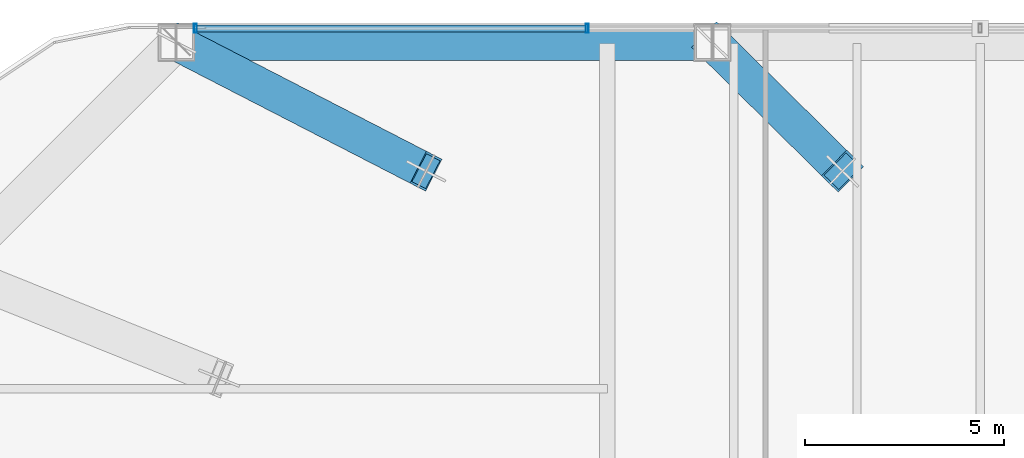
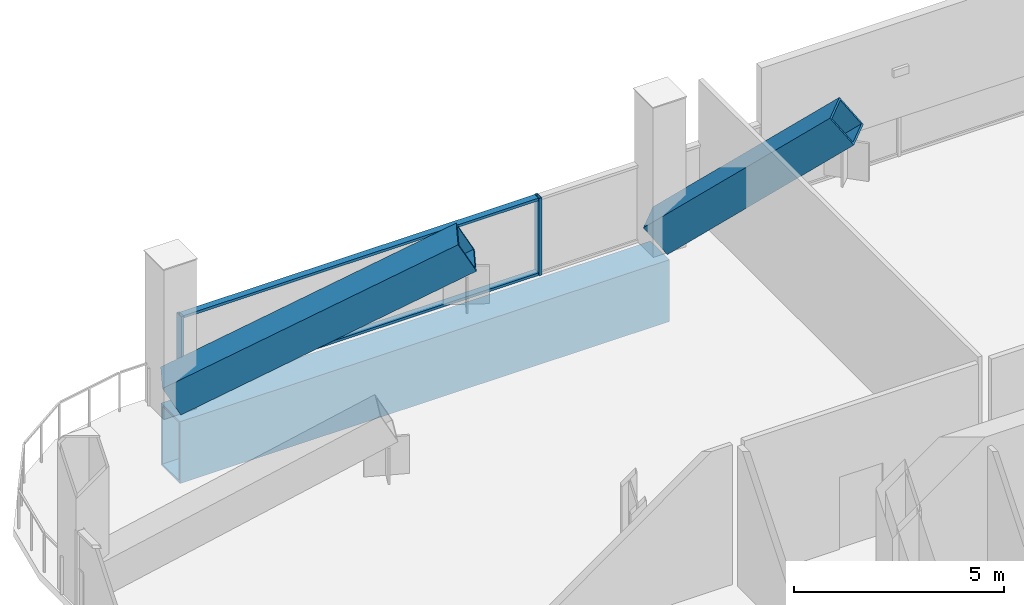
# One storey, part 20 of 38: 6 members, 1 beam, 1 element without a shape of its own.
"""IFC4 building model written with IfcOpenShell, lengths in metres."""

from ifc_helpers import new_model, si_unit, direction, frame, origin, origin_2d, place, context, subcontext, project, spatial, hollow_rectangle, extrude, material, layer, layer_set, material_profile, profile_set, type_object, element, aggregate, save


model = new_model("IFC4")

# Units and contexts
model_context = context("Model", 3, precision=1e-05, world=origin(), true_north=direction((0.0, 1.0)))
body_context = subcontext(model_context, "Body", "Model", "MODEL_VIEW")
ifc_project = project(units=[si_unit("LENGTHUNIT", "METRE"), si_unit("AREAUNIT", "SQUARE_METRE"), si_unit("VOLUMEUNIT", "CUBIC_METRE"), si_unit("PLANEANGLEUNIT", "RADIAN"), si_unit("MASSUNIT", "GRAM", prefix="KILO")], contexts=[model_context])

# Site, building, storey
site_placement = place(None, origin())
site = spatial("IfcSite", under=ifc_project, at=site_placement, CompositionType="ELEMENT")
building_placement = place(site_placement, origin())
building = spatial("IfcBuilding", under=site, at=building_placement, Name="Qhalaya Broadcast Tower", CompositionType="ELEMENT")
storey_placement = place(building_placement, frame((0.0, 0.0, 53.550048828125)))
storey = spatial("IfcBuildingStorey", under=building, at=storey_placement, Name="L15", CompositionType="ELEMENT", Elevation=53.550048828125)

# Beam
ifc_material_1 = material(Name="Structural Steel ASTM A572 Grade 50", Category="steel")
ifc_material_profile_1 = material_profile(ifc_material_1, hollow_rectangle(XDim=0.89990234375, YDim=1.800048828125, WallThickness=0.06005859375, at=origin_2d()), Name="BOX 900x1800x60")
ifc_profile_set_1 = profile_set([ifc_material_profile_1], Name="Structural Steel ASTM A572 Grade 50")
beam_type = type_object("IfcBeamType", Name="Block Cantilever Transfer Box Girder TG1", PredefinedType="USERDEFINED", material=ifc_profile_set_1)
beam_placement = place(storey_placement, frame((-6.7333984375, 25.89990234375, -1.1201171875), z_axis=(-1.0, 0.0, 0.0), x_axis=(0.0, -1.0, 0.0)))
element("IfcBeam", 1, at=beam_placement, inside=storey, type_object=beam_type, Name="L15 TG1 L15-SPR-11", ObjectType="GIRDER", PredefinedType="USERDEFINED", context=body_context, shape_type="SweptSolid", body=[
    extrude(hollow_rectangle(XDim=0.89990234375, YDim=1.800048828125, WallThickness=0.06005859375, at=origin_2d()), origin(), (0.0, 0.0, 1.0), 13.466552734375),
])

# Members
ifc_material_profile_2 = material_profile(ifc_material_1, hollow_rectangle(XDim=0.89990234375, YDim=0.89990234375, WallThickness=0.054931640625, at=origin_2d()), Name="BOX 900x900x55")
ifc_profile_set_2 = profile_set([ifc_material_profile_2], Name="Structural Steel ASTM A572 Grade 50")
member_type_1 = type_object("IfcMemberType", Name="Heavy Exoskeleton Transfer Strut RK1", PredefinedType="BRACE", material=ifc_profile_set_2)
member_1_placement = place(storey_placement, frame((-6.7333984375, 25.89990234375, 0.349365234375), z_axis=(0.536648079419, -0.530077205519, 0.656526461801), x_axis=(0.702737773249, 0.711448959553, 0.0)))
element("IfcMember", 2, at=member_1_placement, inside=storey, type_object=member_type_1, Name="L15 Inclined Exoskeleton Transfer Strut 11", PredefinedType="BRACE", context=body_context, shape_type="SweptSolid", body=[
    extrude(hollow_rectangle(XDim=0.89990234375, YDim=0.89990234375, WallThickness=0.054931640625, at=origin_2d()), origin(), (0.0, 0.0, 1.0), 6.093505859375),
])
member_2_placement = place(storey_placement, frame((-20.199951171875, 25.89990234375, 0.402587890625), z_axis=(0.775752384475, -0.399626354902, 0.4883717994), x_axis=(0.457953273889, 0.888976264551, 0.0)))
element("IfcMember", 3, at=member_2_placement, inside=storey, type_object=member_type_1, Name="L15 Inclined Exoskeleton Transfer Strut 12", PredefinedType="BRACE", context=body_context, shape_type="SweptSolid", body=[
    extrude(hollow_rectangle(XDim=0.89990234375, YDim=0.89990234375, WallThickness=0.054931640625, at=origin_2d()), origin(), (0.0, 0.0, 1.0), 8.08251953125),
])

# Curtain wall, members
ifc_material_2 = material(Name="Fired Architectural Terracotta", Category="masonry")
ifc_layer = layer(ifc_material_2, 0.219970703125, Name="Fired Architectural Terracotta")
ifc_layer_set = layer_set([ifc_layer], Name="Fired Architectural Terracotta")
curtain_wall_type = type_object("IfcCurtainWallType", Name="Block-Cap Unitised Terracotta Spandrel Wall CW-07", PredefinedType="NOTDEFINED", material=ifc_layer_set)
curtain_wall_placement = place(storey_placement, origin())
curtain_wall = element("IfcCurtainWall", 4, at=curtain_wall_placement, inside=storey, type_object=curtain_wall_type, Name="L15 Unitised Curtain Wall L15-CW-N", PredefinedType="NOTDEFINED")
ifc_material_3 = material(Name="Anodised Aluminium 6063-T6", Category="aluminium")
ifc_material_profile_3 = material_profile(ifc_material_3, hollow_rectangle(XDim=0.074951171875, YDim=0.219970703125, WallThickness=0.00390625, at=origin_2d()), Name="ALU-MUL 75x220x4")
ifc_profile_set_3 = profile_set([ifc_material_profile_3], Name="Anodised Aluminium 6063-T6")
member_type_2 = type_object("IfcMemberType", Name="Unitised Curtain-Wall Mullion M01", PredefinedType="MULLION", material=ifc_profile_set_3)
member_3_placement = place(storey_placement, frame((-19.724609375, 26.260009765625, 0.0), z_axis=(0.0, 0.0, 1.0), x_axis=(1.0, 0.0, 0.0)))
member_3 = element("IfcMember", 5, at=member_3_placement, type_object=member_type_2, Name="CW-07 mullion 1", PredefinedType="MULLION", context=body_context, shape_type="SweptSolid", body=[
    extrude(hollow_rectangle(XDim=0.074951171875, YDim=0.219970703125, WallThickness=0.00390625, at=origin_2d()), origin(), (0.0, 0.0, 1.0), 2.25),
])
member_4_placement = place(storey_placement, frame((-9.881103515625, 26.260009765625, 0.0), z_axis=(0.0, 0.0, 1.0), x_axis=(1.0, 0.0, 0.0)))
member_4 = element("IfcMember", 6, at=member_4_placement, type_object=member_type_2, Name="CW-07 mullion 2", PredefinedType="MULLION", context=body_context, shape_type="SweptSolid", body=[
    extrude(hollow_rectangle(XDim=0.074951171875, YDim=0.219970703125, WallThickness=0.00390625, at=origin_2d()), origin(), (0.0, 0.0, 1.0), 2.25),
])
ifc_material_profile_4 = material_profile(ifc_material_3, hollow_rectangle(XDim=0.074951171875, YDim=0.179931640625, WallThickness=0.00390625, at=origin_2d()), Name="ALU-TRN 75x180x4")
ifc_profile_set_4 = profile_set([ifc_material_profile_4], Name="Anodised Aluminium 6063-T6")
member_type_3 = type_object("IfcMemberType", Name="Unitised Curtain-Wall Transom T01", PredefinedType="USERDEFINED", material=ifc_profile_set_4)
member_5_placement = place(storey_placement, frame((-19.68701171875, 26.260009765625, 0.037353515625), z_axis=(1.0, 0.0, 0.0), x_axis=(0.0, 0.0, 1.0)))
member_5 = element("IfcMember", 7, at=member_5_placement, type_object=member_type_3, Name="CW-07 transom 1.1", ObjectType="TRANSOM", PredefinedType="USERDEFINED", context=body_context, shape_type="SweptSolid", body=[
    extrude(hollow_rectangle(XDim=0.074951171875, YDim=0.179931640625, WallThickness=0.00390625, at=origin_2d()), origin(), (0.0, 0.0, 1.0), 9.7685546875),
])
member_6_placement = place(storey_placement, frame((-19.68701171875, 26.260009765625, 2.21240234375), z_axis=(1.0, 0.0, 0.0), x_axis=(0.0, 0.0, 1.0)))
member_6 = element("IfcMember", 8, at=member_6_placement, type_object=member_type_3, Name="CW-07 transom 1.2", ObjectType="TRANSOM", PredefinedType="USERDEFINED", context=body_context, shape_type="SweptSolid", body=[
    extrude(hollow_rectangle(XDim=0.074951171875, YDim=0.179931640625, WallThickness=0.00390625, at=origin_2d()), origin(), (0.0, 0.0, 1.0), 9.7685546875),
])
aggregate(curtain_wall, [member_3, member_4, member_5, member_6])

save(model, "model.ifc")
